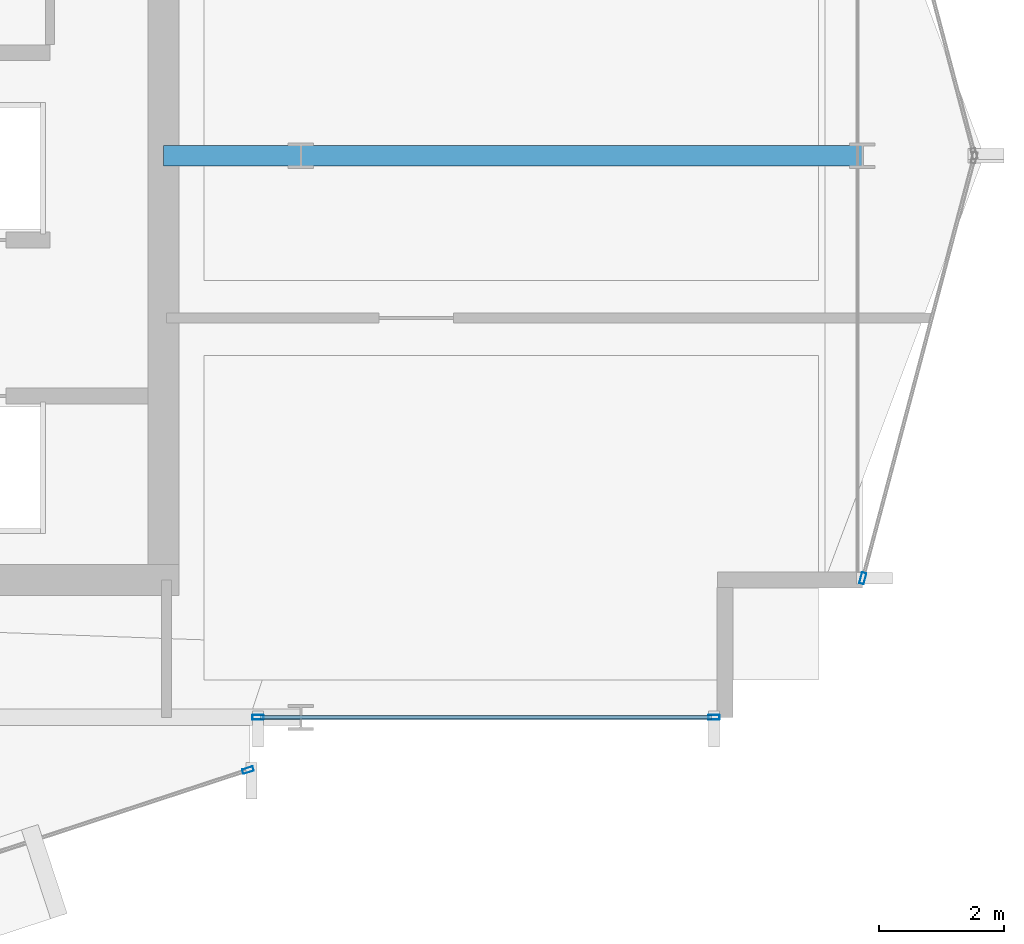
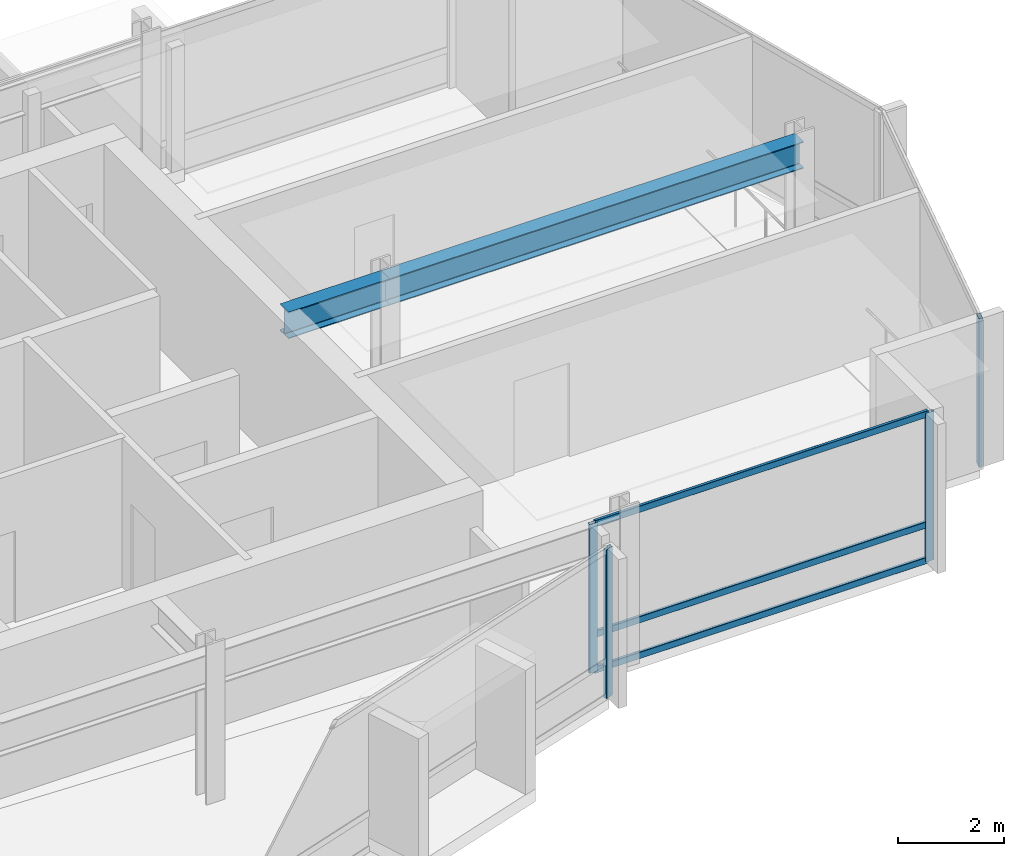
# One storey, part 10 of 27: 7 members, 2 beams, 3 elements without a shape of their own.
"""IFC4 building model written with IfcOpenShell, lengths in metres."""

from ifc_helpers import new_model, si_unit, direction, frame, origin, origin_2d, place, context, subcontext, project, spatial, hollow_rectangle, i_section, extrude, material, layer, layer_set, material_profile, profile_set, type_object, element, aggregate, save


model = new_model("IFC4")

# Units and contexts
model_context = context("Model", 3, precision=1e-05, world=origin(), true_north=direction((0.0, 1.0)))
body_context = subcontext(model_context, "Body", "Model", "MODEL_VIEW")
ifc_project = project(units=[si_unit("LENGTHUNIT", "METRE"), si_unit("AREAUNIT", "SQUARE_METRE"), si_unit("VOLUMEUNIT", "CUBIC_METRE"), si_unit("PLANEANGLEUNIT", "RADIAN"), si_unit("MASSUNIT", "GRAM", prefix="KILO")], contexts=[model_context])

# Site, building, storey
site_placement = place(None, origin())
site = spatial("IfcSite", under=ifc_project, at=site_placement, CompositionType="ELEMENT")
building_placement = place(site_placement, origin())
building = spatial("IfcBuilding", under=site, at=building_placement, Name="Solvaryn Broadcast Tower", CompositionType="ELEMENT")
storey_placement = place(building_placement, frame((0.0, 0.0, 174.199951171875)))
storey = spatial("IfcBuildingStorey", under=building, at=storey_placement, Name="L43", CompositionType="ELEMENT", Elevation=174.199951171875)

# Beams
ifc_material_1 = material(Name="Steel ASTM A992 Grade 50", Category="steel")
ifc_material_profile_1 = material_profile(ifc_material_1, i_section(OverallWidth=0.323974609375, OverallDepth=0.611083984375, WebThickness=0.0126953125, FlangeThickness=0.01904296875, FilletRadius=0.014892578125, at=origin_2d()))
ifc_profile_set_1 = profile_set([ifc_material_profile_1], Name="Steel ASTM A992 Grade 50")
beam_type = type_object("IfcBeamType", Name="BM-B1-W24X104", PredefinedType="BEAM", material=ifc_profile_set_1)
beam_1_placement = place(storey_placement, frame((45.0, 18.0, 3.114501953125), z_axis=(1.0, 0.0, 0.0), x_axis=(0.0, 1.0, 0.0)))
element("IfcBeam", 1, at=beam_1_placement, inside=storey, type_object=beam_type, Name="L43 Primary Beam X (45-54 @ Y=18)", PredefinedType="BEAM", context=body_context, shape_type="SweptSolid", body=[
    extrude(i_section(OverallWidth=0.323974609375, OverallDepth=0.611083984375, WebThickness=0.0126953125, FlangeThickness=0.01904296875, FilletRadius=0.014892578125, at=origin_2d()), origin(), (0.0, 0.0, 1.0), 9.0),
])
beam_2_placement = place(storey_placement, frame((42.800048828125, 18.0, 3.114501953125), z_axis=(1.0, 0.0, 0.0), x_axis=(0.0, 1.0, 0.0)))
element("IfcBeam", 2, at=beam_2_placement, inside=storey, type_object=beam_type, Name="L43 Core Tie Beam CTE3", PredefinedType="BEAM", context=body_context, shape_type="SweptSolid", body=[
    extrude(i_section(OverallWidth=0.323974609375, OverallDepth=0.611083984375, WebThickness=0.0126953125, FlangeThickness=0.01904296875, FilletRadius=0.014892578125, at=origin_2d()), origin(), (0.0, 0.0, 1.0), 2.199951171875),
])

# Curtain wall, member
ifc_material_2 = material(Name="Aluminium and Terracotta Unitised Curtain Wall", Category="masonry")
ifc_layer = layer(ifc_material_2, 0.199951171875)
ifc_layer_set = layer_set([ifc_layer], Name="CW-SYS2-LOWMID")
curtain_wall_type = type_object("IfcCurtainWallType", Name="CW-SYS2-LOWMID", PredefinedType="NOTDEFINED", material=ifc_layer_set)
curtain_wall_1_placement = place(storey_placement, origin())
curtain_wall_1 = element("IfcCurtainWall", 3, at=curtain_wall_1_placement, inside=storey, type_object=curtain_wall_type, Name="L43 Curtain Wall DR4", PredefinedType="NOTDEFINED")
ifc_material_3 = material(Name="Anodised Aluminium 6063-T6", Category="aluminium")
ifc_material_profile_2 = material_profile(ifc_material_3, hollow_rectangle(XDim=0.074951171875, YDim=0.179931640625, WallThickness=0.00390625, InnerFilletRadius=0.00390625, OuterFilletRadius=0.008056640625, at=origin_2d()))
ifc_profile_set_2 = profile_set([ifc_material_profile_2], Name="Anodised Aluminium 6063-T6")
member_type_1 = type_object("IfcMemberType", Name="CW-MUL-180", PredefinedType="MULLION", material=ifc_profile_set_2)
member_1_placement = place(storey_placement, frame((44.153564453125, 8.153564453125, 0.0), z_axis=(0.0, 0.0, 1.0), x_axis=(-0.311558717623, 0.950226902099, 0.0)))
member_1 = element("IfcMember", 4, at=member_1_placement, type_object=member_type_1, Name="CWS2 mullion 2", PredefinedType="MULLION", context=body_context, shape_type="SweptSolid", body=[
    extrude(hollow_rectangle(XDim=0.074951171875, YDim=0.179931640625, WallThickness=0.00390625, InnerFilletRadius=0.00390625, OuterFilletRadius=0.008056640625, at=origin_2d()), origin(), (0.0, 0.0, 1.0), 3.420166015625),
])
aggregate(curtain_wall_1, [member_1])

# Curtain wall, members
curtain_wall_2_placement = place(storey_placement, origin())
curtain_wall_2 = element("IfcCurtainWall", 5, at=curtain_wall_2_placement, inside=storey, type_object=curtain_wall_type, Name="L43 Curtain Wall S2", PredefinedType="NOTDEFINED")
member_2_placement = place(storey_placement, frame((44.31201171875, 9.0, 0.0), z_axis=(0.0, 0.0, 1.0), x_axis=(0.0, 1.0, 0.0)))
member_2 = element("IfcMember", 6, at=member_2_placement, type_object=member_type_1, Name="CWS2 mullion 1", PredefinedType="MULLION", context=body_context, shape_type="SweptSolid", body=[
    extrude(hollow_rectangle(XDim=0.074951171875, YDim=0.179931640625, WallThickness=0.00390625, InnerFilletRadius=0.00390625, OuterFilletRadius=0.008056640625, at=origin_2d()), origin(), (0.0, 0.0, 1.0), 3.420166015625),
])
member_3_placement = place(storey_placement, frame((51.6201171875, 9.0, 0.0), z_axis=(0.0, 0.0, 1.0), x_axis=(0.0, 1.0, 0.0)))
member_3 = element("IfcMember", 7, at=member_3_placement, type_object=member_type_1, Name="CWS2 mullion 2", PredefinedType="MULLION", context=body_context, shape_type="SweptSolid", body=[
    extrude(hollow_rectangle(XDim=0.074951171875, YDim=0.179931640625, WallThickness=0.00390625, InnerFilletRadius=0.00390625, OuterFilletRadius=0.008056640625, at=origin_2d()), origin(), (0.0, 0.0, 1.0), 3.420166015625),
])

# Curtain wall, member
curtain_wall_3_placement = place(storey_placement, origin())
curtain_wall_3 = element("IfcCurtainWall", 8, at=curtain_wall_3_placement, inside=storey, type_object=curtain_wall_type, Name="L43 Curtain Wall ET2", PredefinedType="NOTDEFINED")
member_4_placement = place(storey_placement, frame((54.007568359375, 11.22900390625, 0.0), z_axis=(0.0, 0.0, 1.0), x_axis=(0.966705227863, -0.25589256031, 0.0)))
member_4 = element("IfcMember", 9, at=member_4_placement, type_object=member_type_1, Name="CWS2 mullion 2", PredefinedType="MULLION", context=body_context, shape_type="SweptSolid", body=[
    extrude(hollow_rectangle(XDim=0.074951171875, YDim=0.179931640625, WallThickness=0.00390625, InnerFilletRadius=0.00390625, OuterFilletRadius=0.008056640625, at=origin_2d()), origin(), (0.0, 0.0, 1.0), 3.420166015625),
])
aggregate(curtain_wall_3, [member_4])

# Member
ifc_material_4 = material(Name="Anodised Aluminium 6063-T6", Category="aluminium")
ifc_material_profile_3 = material_profile(ifc_material_4, hollow_rectangle(XDim=0.06494140625, YDim=0.14990234375, WallThickness=0.00390625, InnerFilletRadius=0.00390625, OuterFilletRadius=0.008056640625, at=origin_2d()))
ifc_profile_set_3 = profile_set([ifc_material_profile_3], Name="Anodised Aluminium 6063-T6")
member_type_2 = type_object("IfcMemberType", Name="CW-TRN-150", PredefinedType="USERDEFINED", material=ifc_profile_set_3)
member_5_placement = place(storey_placement, frame((44.342041015625, 9.0, 0.030029296875), z_axis=(1.0, 0.0, 0.0), x_axis=(0.0, 1.0, 0.0)))
member_5 = element("IfcMember", 10, at=member_5_placement, type_object=member_type_2, Name="CWS2 transom 1.1", ObjectType="TRANSOM", PredefinedType="USERDEFINED", context=body_context, shape_type="SweptSolid", body=[
    extrude(hollow_rectangle(XDim=0.06494140625, YDim=0.14990234375, WallThickness=0.00390625, InnerFilletRadius=0.00390625, OuterFilletRadius=0.008056640625, at=origin_2d()), origin(), (0.0, 0.0, 1.0), 7.248046875),
])

member_6_placement = place(storey_placement, frame((44.342041015625, 9.0, 0.85009765625), z_axis=(1.0, 0.0, 0.0), x_axis=(0.0, 1.0, 0.0)))
member_6 = element("IfcMember", 11, at=member_6_placement, type_object=member_type_2, Name="CWS2 transom 1.2", ObjectType="TRANSOM", PredefinedType="USERDEFINED", context=body_context, shape_type="SweptSolid", body=[
    extrude(hollow_rectangle(XDim=0.06494140625, YDim=0.14990234375, WallThickness=0.00390625, InnerFilletRadius=0.00390625, OuterFilletRadius=0.008056640625, at=origin_2d()), origin(), (0.0, 0.0, 1.0), 7.248046875),
])

member_7_placement = place(storey_placement, frame((44.342041015625, 9.0, 3.39013671875), z_axis=(1.0, 0.0, 0.0), x_axis=(0.0, 1.0, 0.0)))
member_7 = element("IfcMember", 12, at=member_7_placement, type_object=member_type_2, Name="CWS2 transom 1.3", ObjectType="TRANSOM", PredefinedType="USERDEFINED", context=body_context, shape_type="SweptSolid", body=[
    extrude(hollow_rectangle(XDim=0.06494140625, YDim=0.14990234375, WallThickness=0.00390625, InnerFilletRadius=0.00390625, OuterFilletRadius=0.008056640625, at=origin_2d()), origin(), (0.0, 0.0, 1.0), 7.248046875),
])

aggregate(curtain_wall_2, [member_2, member_3, member_5, member_6, member_7])

save(model, "model.ifc")
